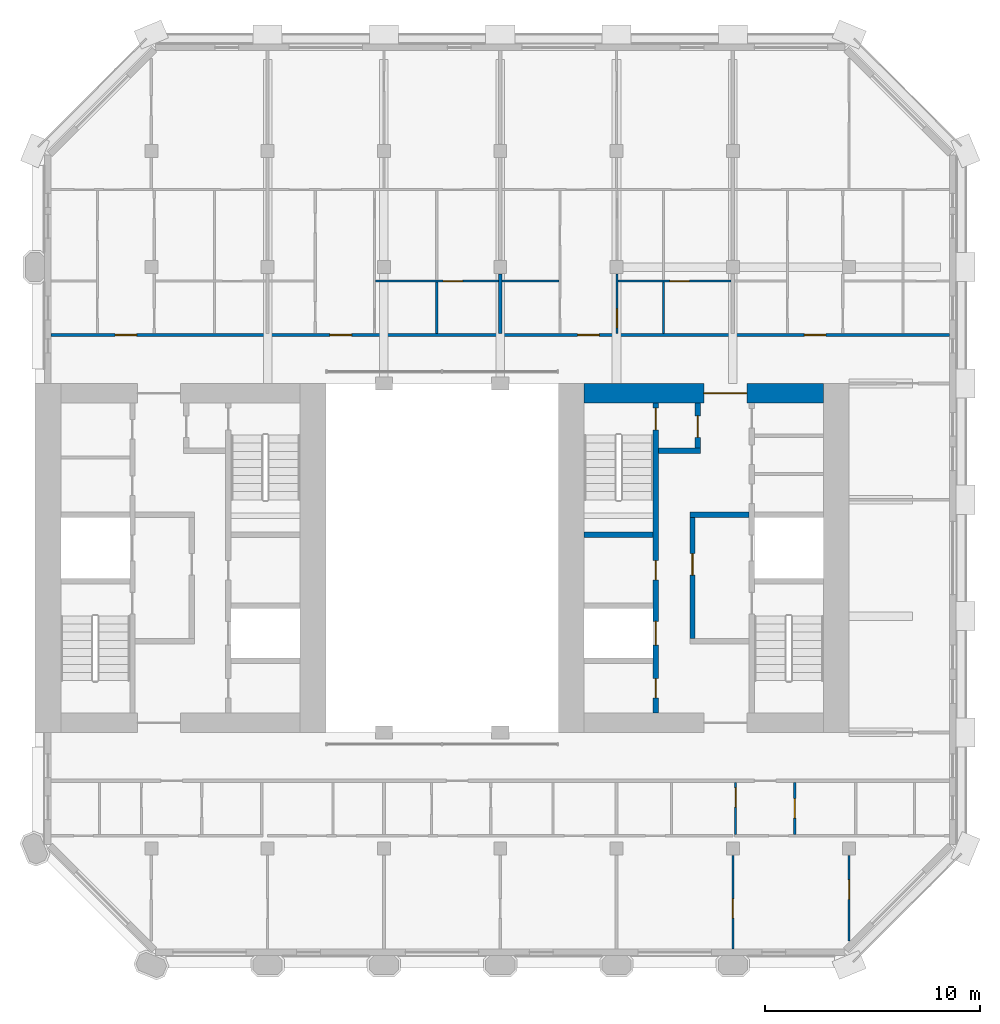
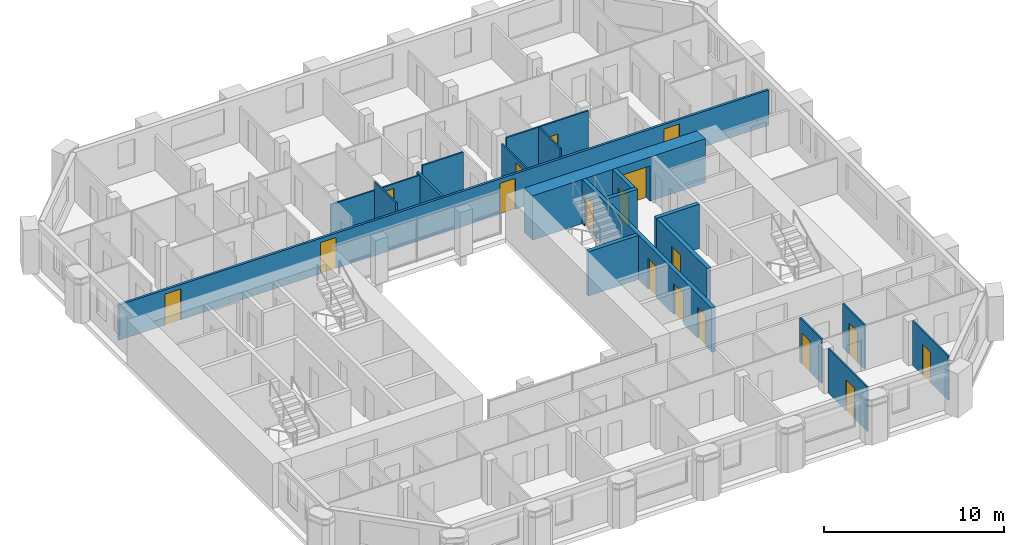
# One storey, part 6 of 13: 19 walls, 18 doors, 18 openings.
"""IFC4 building model written with IfcOpenShell, lengths in metres."""

from ifc_helpers import new_model, si_unit, direction, frame, frame_2d, origin, place, context, subcontext, project, spatial, rectangle, extrude, material, layer, layer_set, type_object, element, fill, save


model = new_model("IFC4")

# Units and contexts
model_context = context("Model", 3, precision=1e-05, world=origin(), true_north=direction((0.0, 1.0)))
body_context = subcontext(model_context, "Body", "Model", "MODEL_VIEW")
ifc_project = project(units=[si_unit("LENGTHUNIT", "METRE"), si_unit("AREAUNIT", "SQUARE_METRE"), si_unit("VOLUMEUNIT", "CUBIC_METRE"), si_unit("PLANEANGLEUNIT", "RADIAN"), si_unit("MASSUNIT", "GRAM", prefix="KILO")], contexts=[model_context])

# Site, building, storey
site_placement = place(None, origin())
site = spatial("IfcSite", under=ifc_project, at=site_placement, CompositionType="ELEMENT")
building_placement = place(site_placement, origin())
building = spatial("IfcBuilding", under=site, at=building_placement, Name="Tabaq Tower and Sports Hall", CompositionType="ELEMENT")
storey_placement = place(building_placement, frame((0.0, 0.0, 295.0)))
storey = spatial("IfcBuildingStorey", under=building, at=storey_placement, Name="L73", CompositionType="ELEMENT", Elevation=295.0)

# Wall, opening, door
ifc_material_1 = material(Name="Concrete C40/50", Category="concrete")
ifc_layer_1 = layer(ifc_material_1, 0.89990234375)
ifc_layer_set_1 = layer_set([ifc_layer_1], Name="Core wall 900 Concrete C40/50")
wall_type_1 = type_object("IfcWallType", Name="Core wall 900 Concrete C40/50", PredefinedType="SOLIDWALL", material=ifc_layer_set_1)
wall_1_placement = place(storey_placement, frame((30.89990234375, 31.949951171875, 0.0), z_axis=(0.0, 0.0, 1.0), x_axis=(1.0, 0.0, 0.0)))
wall_1 = element("IfcWall", 1, at=wall_1_placement, inside=storey, type_object=wall_type_1, Name="Core wall E L73", PredefinedType="SOLIDWALL", context=body_context, shape_type="SweptSolid", body=[
    extrude(rectangle(XDim=11.10009765625, YDim=0.89990234375, at=frame_2d((5.550048828125, 0.0))), origin(), (0.0, 0.0, 1.0), 3.0),
])
opening_1_placement = place(wall_1_placement, frame((5.550048828125, 0.0, 0.0)))
opening_1 = element("IfcOpeningElement", 2, at=opening_1_placement, cuts=wall_1, Name="Opening PD-EL73-02", PredefinedType="OPENING", context=body_context, shape_type="SweptSolid", body=[
    extrude(rectangle(XDim=2.0, YDim=2.39990234375, at=frame_2d((1.0, 1.199951171875))), frame((0.0, 0.449951171875, 0.0), z_axis=(0.0, -1.0, 0.0), x_axis=(1.0, 0.0, 0.0)), (0.0, 0.0, 1.0), 0.89990234375),
])
ifc_material_2 = material(Name="Steel fire door", Category="steel")
door_type_1 = type_object("IfcDoorType", Name="Core entrance door 2000", OperationType="DOUBLE_DOOR_SINGLE_SWING", PredefinedType="DOOR", material=ifc_material_2)
door_1_placement = place(opening_1_placement, origin())
door_1 = element("IfcDoor", 3, at=door_1_placement, inside=storey, type_object=door_type_1, Name="Core entrance north E L73", OperationType="DOUBLE_DOOR_SINGLE_SWING", OverallHeight=2.39990234375, OverallWidth=2.0, PredefinedType="DOOR", context=body_context, shape_type="SweptSolid", body=[
    extrude(rectangle(XDim=2.0, YDim=2.39990234375, at=frame_2d((1.0, 1.199951171875))), frame((0.0, 0.02490234375, 0.0), z_axis=(0.0, -1.0, 0.0), x_axis=(1.0, 0.0, 0.0)), (0.0, 0.0, 1.0), 0.050048828125),
])
fill(opening_1, door_1)

# Wall
ifc_material_3 = material(Name="Gypsum board on steel studs", Category="steel")
ifc_layer_2 = layer(ifc_material_3, 0.10009765625)
ifc_layer_set_2 = layer_set([ifc_layer_2], Name="Partition 100 Gypsum board")
wall_type_2 = type_object("IfcWallType", Name="Partition 100 Gypsum board", PredefinedType="PARTITIONING", material=ifc_layer_set_2)
wall_2_placement = place(storey_placement, frame((24.050048828125, 34.72509765625, 0.0), z_axis=(0.0, 0.0, 1.0), x_axis=(0.0, 1.0, 0.0)))
element("IfcWall", 4, at=wall_2_placement, inside=storey, type_object=wall_type_2, Name="Partition wall L73", PredefinedType="PARTITIONING", context=body_context, shape_type="SweptSolid", body=[
    extrude(rectangle(XDim=2.375, YDim=0.10009765625, at=frame_2d((1.1875, 0.0))), origin(), (0.0, 0.0, 1.0), 3.0),
])

# Wall, opening, door
wall_3_placement = place(storey_placement, frame((21.2119140625, 37.14990234375, 0.0), z_axis=(0.0, 0.0, 1.0), x_axis=(1.0, 0.0, 0.0)))
wall_3 = element("IfcWall", 5, at=wall_3_placement, inside=storey, type_object=wall_type_2, Name="Partition wall L73", PredefinedType="PARTITIONING", context=body_context, shape_type="SweptSolid", body=[
    extrude(rectangle(XDim=5.713134765625, YDim=0.10009765625, at=frame_2d((2.8564453125, 0.0))), origin(), (0.0, 0.0, 1.0), 2.39990234375),
])
opening_2_placement = place(wall_3_placement, frame((3.137939453125, 0.0, 0.0)))
opening_2 = element("IfcOpeningElement", 6, at=opening_2_placement, cuts=wall_3, Name="Opening L73-008", PredefinedType="OPENING", context=body_context, shape_type="SweptSolid", body=[
    extrude(rectangle(XDim=0.89990234375, YDim=2.10009765625, at=frame_2d((0.449951171875, 1.050048828125))), frame((0.0, 0.050048828125, 0.0), z_axis=(0.0, -1.0, 0.0), x_axis=(1.0, 0.0, 0.0)), (0.0, 0.0, 1.0), 0.10009765625),
])
ifc_material_4 = material(Name="Timber leaf in steel frame", Category="steel")
door_type_2 = type_object("IfcDoorType", Name="Internal door 900 left hand", OperationType="SINGLE_SWING_LEFT", PredefinedType="DOOR", material=ifc_material_4)
door_2_placement = place(opening_2_placement, origin())
door_2 = element("IfcDoor", 7, at=door_2_placement, inside=storey, type_object=door_type_2, Name="Internal door L73-008", OperationType="SINGLE_SWING_LEFT", OverallHeight=2.10009765625, OverallWidth=0.89990234375, PredefinedType="DOOR", context=body_context, shape_type="SweptSolid", body=[
    extrude(rectangle(XDim=0.89990234375, YDim=2.10009765625, at=frame_2d((0.449951171875, 1.050048828125))), frame((0.0, 0.02490234375, 0.0), z_axis=(0.0, -1.0, 0.0), x_axis=(1.0, 0.0, 0.0)), (0.0, 0.0, 1.0), 0.050048828125),
])
fill(opening_2, door_2)

# Wall
wall_4_placement = place(storey_placement, frame((27.074951171875, 37.14990234375, 0.0), z_axis=(0.0, 0.0, 1.0), x_axis=(1.0, 0.0, 0.0)))
element("IfcWall", 8, at=wall_4_placement, inside=storey, type_object=wall_type_2, Name="Partition wall L73", PredefinedType="PARTITIONING", context=body_context, shape_type="SweptSolid", body=[
    extrude(rectangle(XDim=2.64501953125, YDim=0.10009765625, at=frame_2d((1.322509765625, 0.0))), origin(), (0.0, 0.0, 1.0), 3.0),
])

# Wall, opening, door
wall_5_placement = place(storey_placement, frame((32.419921875, 34.72509765625, 0.0), z_axis=(0.0, 0.0, 1.0), x_axis=(0.0, 1.0, 0.0)))
wall_5 = element("IfcWall", 9, at=wall_5_placement, inside=storey, type_object=wall_type_2, Name="Partition wall L73", PredefinedType="PARTITIONING", context=body_context, shape_type="SweptSolid", body=[
    extrude(rectangle(XDim=2.7548828125, YDim=0.10009765625, at=frame_2d((1.37744140625, 0.0))), origin(), (0.0, 0.0, 1.0), 2.39990234375),
])
opening_3_placement = place(wall_5_placement, frame((0.25, 0.0, 0.0)))
opening_3 = element("IfcOpeningElement", 10, at=opening_3_placement, cuts=wall_5, Name="Opening L73-011", PredefinedType="OPENING", context=body_context, shape_type="SweptSolid", body=[
    extrude(rectangle(XDim=0.89990234375, YDim=2.10009765625, at=frame_2d((0.449951171875, 1.050048828125))), frame((0.0, 0.050048828125, 0.0), z_axis=(0.0, -1.0, 0.0), x_axis=(1.0, 0.0, 0.0)), (0.0, 0.0, 1.0), 0.10009765625),
])
ifc_material_5 = material(Name="Timber leaf in steel frame", Category="steel")
door_type_3 = type_object("IfcDoorType", Name="Internal door 900 right hand", OperationType="SINGLE_SWING_RIGHT", PredefinedType="DOOR", material=ifc_material_5)
door_3_placement = place(opening_3_placement, origin())
door_3 = element("IfcDoor", 11, at=door_3_placement, inside=storey, type_object=door_type_3, Name="Internal door L73-011", OperationType="SINGLE_SWING_RIGHT", OverallHeight=2.10009765625, OverallWidth=0.89990234375, PredefinedType="DOOR", context=body_context, shape_type="SweptSolid", body=[
    extrude(rectangle(XDim=0.89990234375, YDim=2.10009765625, at=frame_2d((0.449951171875, 1.050048828125))), frame((0.0, 0.02490234375, 0.0), z_axis=(0.0, -1.0, 0.0), x_axis=(1.0, 0.0, 0.0)), (0.0, 0.0, 1.0), 0.050048828125),
])
fill(opening_3, door_3)

# Wall
wall_6_placement = place(storey_placement, frame((34.575927734375, 34.72509765625, 0.0), z_axis=(0.0, 0.0, 1.0), x_axis=(0.0, 1.0, 0.0)))
element("IfcWall", 12, at=wall_6_placement, inside=storey, type_object=wall_type_2, Name="Partition wall L73", PredefinedType="PARTITIONING", context=body_context, shape_type="SweptSolid", body=[
    extrude(rectangle(XDim=2.375, YDim=0.10009765625, at=frame_2d((1.1875, 0.0))), origin(), (0.0, 0.0, 1.0), 3.0),
])

# Wall, opening, door
wall_7_placement = place(storey_placement, frame((32.469970703125, 37.14990234375, 0.0), z_axis=(0.0, 0.0, 1.0), x_axis=(1.0, 0.0, 0.0)))
wall_7 = element("IfcWall", 13, at=wall_7_placement, inside=storey, type_object=wall_type_2, Name="Partition wall L73", PredefinedType="PARTITIONING", context=body_context, shape_type="SweptSolid", body=[
    extrude(rectangle(XDim=5.255126953125, YDim=0.10009765625, at=frame_2d((2.62744140625, 0.0))), origin(), (0.0, 0.0, 1.0), 3.0),
])
opening_4_placement = place(wall_7_placement, frame((2.406005859375, 0.0, 0.0)))
opening_4 = element("IfcOpeningElement", 14, at=opening_4_placement, cuts=wall_7, Name="Opening L73-012", PredefinedType="OPENING", context=body_context, shape_type="SweptSolid", body=[
    extrude(rectangle(XDim=0.89990234375, YDim=2.10009765625, at=frame_2d((0.449951171875, 1.050048828125))), frame((0.0, 0.050048828125, 0.0), z_axis=(0.0, -1.0, 0.0), x_axis=(1.0, 0.0, 0.0)), (0.0, 0.0, 1.0), 0.10009765625),
])
door_4_placement = place(opening_4_placement, origin())
door_4 = element("IfcDoor", 15, at=door_4_placement, inside=storey, type_object=door_type_3, Name="Internal door L73-012", OperationType="SINGLE_SWING_RIGHT", OverallHeight=2.10009765625, OverallWidth=0.89990234375, PredefinedType="DOOR", context=body_context, shape_type="SweptSolid", body=[
    extrude(rectangle(XDim=0.89990234375, YDim=2.10009765625, at=frame_2d((0.449951171875, 1.050048828125))), frame((0.0, 0.02490234375, 0.0), z_axis=(0.0, -1.0, 0.0), x_axis=(1.0, 0.0, 0.0)), (0.0, 0.0, 1.0), 0.050048828125),
])
fill(opening_4, door_4)

wall_8_placement = place(storey_placement, frame((37.800048828125, 6.15087890625, 0.0), z_axis=(0.0, 0.0, 1.0), x_axis=(0.0, 1.0, 0.0)))
wall_8 = element("IfcWall", 16, at=wall_8_placement, inside=storey, type_object=wall_type_2, Name="Partition wall L73", PredefinedType="PARTITIONING", context=body_context, shape_type="SweptSolid", body=[
    extrude(rectangle(XDim=4.3291015625, YDim=0.10009765625, at=frame_2d((2.16455078125, 0.0))), origin(), (0.0, 0.0, 1.0), 3.0),
])
opening_5_placement = place(wall_8_placement, frame((1.424072265625, 0.0, 0.0)))
opening_5 = element("IfcOpeningElement", 17, at=opening_5_placement, cuts=wall_8, Name="Opening L73-051", PredefinedType="OPENING", context=body_context, shape_type="SweptSolid", body=[
    extrude(rectangle(XDim=0.89990234375, YDim=2.10009765625, at=frame_2d((0.449951171875, 1.050048828125))), frame((0.0, 0.050048828125, 0.0), z_axis=(0.0, -1.0, 0.0), x_axis=(1.0, 0.0, 0.0)), (0.0, 0.0, 1.0), 0.10009765625),
])
door_5_placement = place(opening_5_placement, origin())
door_5 = element("IfcDoor", 18, at=door_5_placement, inside=storey, type_object=door_type_2, Name="Internal door L73-051", OperationType="SINGLE_SWING_LEFT", OverallHeight=2.10009765625, OverallWidth=0.89990234375, PredefinedType="DOOR", context=body_context, shape_type="SweptSolid", body=[
    extrude(rectangle(XDim=0.89990234375, YDim=2.10009765625, at=frame_2d((0.449951171875, 1.050048828125))), frame((0.0, 0.02490234375, 0.0), z_axis=(0.0, -1.0, 0.0), x_axis=(1.0, 0.0, 0.0)), (0.0, 0.0, 1.0), 0.050048828125),
])
fill(opening_5, door_5)

wall_9_placement = place(storey_placement, frame((43.199951171875, 6.51220703125, 0.0), z_axis=(0.0, 0.0, 1.0), x_axis=(0.0, 1.0, 0.0)))
wall_9 = element("IfcWall", 19, at=wall_9_placement, inside=storey, type_object=wall_type_2, Name="Partition wall L73", PredefinedType="PARTITIONING", context=body_context, shape_type="SweptSolid", body=[
    extrude(rectangle(XDim=3.9677734375, YDim=0.10009765625, at=frame_2d((1.98388671875, 0.0))), origin(), (0.0, 0.0, 1.0), 3.0),
])
opening_6_placement = place(wall_9_placement, frame((1.93798828125, 0.0, 0.0)))
opening_6 = element("IfcOpeningElement", 20, at=opening_6_placement, cuts=wall_9, Name="Opening L73-059", PredefinedType="OPENING", context=body_context, shape_type="SweptSolid", body=[
    extrude(rectangle(XDim=0.89990234375, YDim=2.10009765625, at=frame_2d((0.449951171875, 1.050048828125))), frame((0.0, 0.050048828125, 0.0), z_axis=(0.0, -1.0, 0.0), x_axis=(1.0, 0.0, 0.0)), (0.0, 0.0, 1.0), 0.10009765625),
])
door_6_placement = place(opening_6_placement, origin())
door_6 = element("IfcDoor", 21, at=door_6_placement, inside=storey, type_object=door_type_3, Name="Internal door L73-059", OperationType="SINGLE_SWING_RIGHT", OverallHeight=2.10009765625, OverallWidth=0.89990234375, PredefinedType="DOOR", context=body_context, shape_type="SweptSolid", body=[
    extrude(rectangle(XDim=0.89990234375, YDim=2.10009765625, at=frame_2d((0.449951171875, 1.050048828125))), frame((0.0, 0.02490234375, 0.0), z_axis=(0.0, -1.0, 0.0), x_axis=(1.0, 0.0, 0.0)), (0.0, 0.0, 1.0), 0.050048828125),
])
fill(opening_6, door_6)

wall_10_placement = place(storey_placement, frame((37.925048828125, 11.449951171875, 0.0), z_axis=(0.0, 0.0, 1.0), x_axis=(0.0, 1.0, 0.0)))
wall_10 = element("IfcWall", 22, at=wall_10_placement, inside=storey, type_object=wall_type_2, Name="Partition wall L73", PredefinedType="PARTITIONING", context=body_context, shape_type="SweptSolid", body=[
    extrude(rectangle(XDim=2.425048828125, YDim=0.10009765625, at=frame_2d((1.21240234375, 0.0))), origin(), (0.0, 0.0, 1.0), 3.0),
])
opening_7_placement = place(wall_10_placement, frame((1.27490234375, 0.0, 0.0)))
opening_7 = element("IfcOpeningElement", 23, at=opening_7_placement, cuts=wall_10, Name="Opening L73-028", PredefinedType="OPENING", context=body_context, shape_type="SweptSolid", body=[
    extrude(rectangle(XDim=0.89990234375, YDim=2.10009765625, at=frame_2d((0.449951171875, 1.050048828125))), frame((0.0, 0.050048828125, 0.0), z_axis=(0.0, -1.0, 0.0), x_axis=(1.0, 0.0, 0.0)), (0.0, 0.0, 1.0), 0.10009765625),
])
door_7_placement = place(opening_7_placement, origin())
door_7 = element("IfcDoor", 24, at=door_7_placement, inside=storey, type_object=door_type_3, Name="Internal door L73-028", OperationType="SINGLE_SWING_RIGHT", OverallHeight=2.10009765625, OverallWidth=0.89990234375, PredefinedType="DOOR", context=body_context, shape_type="SweptSolid", body=[
    extrude(rectangle(XDim=0.89990234375, YDim=2.10009765625, at=frame_2d((0.449951171875, 1.050048828125))), frame((0.0, 0.02490234375, 0.0), z_axis=(0.0, -1.0, 0.0), x_axis=(1.0, 0.0, 0.0)), (0.0, 0.0, 1.0), 0.050048828125),
])
fill(opening_7, door_7)

wall_11_placement = place(storey_placement, frame((40.675048828125, 11.449951171875, 0.0), z_axis=(0.0, 0.0, 1.0), x_axis=(0.0, 1.0, 0.0)))
wall_11 = element("IfcWall", 25, at=wall_11_placement, inside=storey, type_object=wall_type_2, Name="Partition wall L73", PredefinedType="PARTITIONING", context=body_context, shape_type="SweptSolid", body=[
    extrude(rectangle(XDim=2.425048828125, YDim=0.10009765625, at=frame_2d((1.21240234375, 0.0))), origin(), (0.0, 0.0, 1.0), 3.0),
])
opening_8_placement = place(wall_11_placement, frame((0.77490234375, 0.0, 0.0)))
opening_8 = element("IfcOpeningElement", 26, at=opening_8_placement, cuts=wall_11, Name="Opening L73-029", PredefinedType="OPENING", context=body_context, shape_type="SweptSolid", body=[
    extrude(rectangle(XDim=0.89990234375, YDim=2.10009765625, at=frame_2d((0.449951171875, 1.050048828125))), frame((0.0, 0.050048828125, 0.0), z_axis=(0.0, -1.0, 0.0), x_axis=(1.0, 0.0, 0.0)), (0.0, 0.0, 1.0), 0.10009765625),
])
door_8_placement = place(opening_8_placement, origin())
door_8 = element("IfcDoor", 27, at=door_8_placement, inside=storey, type_object=door_type_2, Name="Internal door L73-029", OperationType="SINGLE_SWING_LEFT", OverallHeight=2.10009765625, OverallWidth=0.89990234375, PredefinedType="DOOR", context=body_context, shape_type="SweptSolid", body=[
    extrude(rectangle(XDim=0.89990234375, YDim=2.10009765625, at=frame_2d((0.449951171875, 1.050048828125))), frame((0.0, 0.02490234375, 0.0), z_axis=(0.0, -1.0, 0.0), x_axis=(1.0, 0.0, 0.0)), (0.0, 0.0, 1.0), 0.050048828125),
])
fill(opening_8, door_8)

# Wall
ifc_material_6 = material(Name="Blockwork", Category="masonry")
ifc_layer_3 = layer(ifc_material_6, 0.14990234375)
ifc_layer_set_3 = layer_set([ifc_layer_3], Name="Separating wall 150 Blockwork")
wall_type_3 = type_object("IfcWallType", Name="Separating wall 150 Blockwork", PredefinedType="PARTITIONING", material=ifc_layer_set_3)
wall_12_placement = place(storey_placement, frame((27.0, 34.72509765625, 0.0), z_axis=(0.0, 0.0, 1.0), x_axis=(0.0, 1.0, 0.0)))
element("IfcWall", 28, at=wall_12_placement, inside=storey, type_object=wall_type_3, Name="Separating wall L73", PredefinedType="PARTITIONING", context=body_context, shape_type="SweptSolid", body=[
    extrude(rectangle(XDim=2.7548828125, YDim=0.14990234375, at=frame_2d((1.37744140625, 0.0))), origin(), (0.0, 0.0, 1.0), 2.39990234375),
])

# Wall, openings, doors
wall_13_placement = place(storey_placement, frame((6.15087890625, 34.64990234375, 0.0), z_axis=(0.0, 0.0, 1.0), x_axis=(1.0, 0.0, 0.0)))
wall_13 = element("IfcWall", 29, at=wall_13_placement, inside=storey, type_object=wall_type_3, Name="Separating wall L73", PredefinedType="PARTITIONING", context=body_context, shape_type="SweptSolid", body=[
    extrude(rectangle(XDim=41.6982421875, YDim=0.14990234375, at=frame_2d((20.84912109375, 0.0))), origin(), (0.0, 0.0, 1.0), 2.39990234375),
])
opening_9_placement = place(wall_13_placement, frame((2.968994140625, 0.0, 0.0)))
opening_9 = element("IfcOpeningElement", 30, at=opening_9_placement, cuts=wall_13, Name="Opening L73-064", PredefinedType="OPENING", context=body_context, shape_type="SweptSolid", body=[
    extrude(rectangle(XDim=1.0, YDim=2.10009765625, at=frame_2d((0.5, 1.050048828125))), frame((0.0, 0.074951171875, 0.0), z_axis=(0.0, -1.0, 0.0), x_axis=(1.0, 0.0, 0.0)), (0.0, 0.0, 1.0), 0.14990234375),
])
opening_10_placement = place(wall_13_placement, frame((12.944091796875, 0.0, 0.0)))
opening_10 = element("IfcOpeningElement", 31, at=opening_10_placement, cuts=wall_13, Name="Opening L73-065", PredefinedType="OPENING", context=body_context, shape_type="SweptSolid", body=[
    extrude(rectangle(XDim=1.0, YDim=2.10009765625, at=frame_2d((0.5, 1.050048828125))), frame((0.0, 0.074951171875, 0.0), z_axis=(0.0, -1.0, 0.0), x_axis=(1.0, 0.0, 0.0)), (0.0, 0.0, 1.0), 0.14990234375),
])
opening_11_placement = place(wall_13_placement, frame((24.444091796875, 0.0, 0.0)))
opening_11 = element("IfcOpeningElement", 32, at=opening_11_placement, cuts=wall_13, Name="Opening L73-066", PredefinedType="OPENING", context=body_context, shape_type="SweptSolid", body=[
    extrude(rectangle(XDim=1.0, YDim=2.10009765625, at=frame_2d((0.5, 1.050048828125))), frame((0.0, 0.074951171875, 0.0), z_axis=(0.0, -1.0, 0.0), x_axis=(1.0, 0.0, 0.0)), (0.0, 0.0, 1.0), 0.14990234375),
])
opening_12_placement = place(wall_13_placement, frame((34.964111328125, 0.0, 0.0)))
opening_12 = element("IfcOpeningElement", 33, at=opening_12_placement, cuts=wall_13, Name="Opening L73-067", PredefinedType="OPENING", context=body_context, shape_type="SweptSolid", body=[
    extrude(rectangle(XDim=1.0, YDim=2.10009765625, at=frame_2d((0.5, 1.050048828125))), frame((0.0, 0.074951171875, 0.0), z_axis=(0.0, -1.0, 0.0), x_axis=(1.0, 0.0, 0.0)), (0.0, 0.0, 1.0), 0.14990234375),
])
ifc_material_7 = material(Name="Steel fire door", Category="steel")
door_type_4 = type_object("IfcDoorType", Name="Entrance door 1000 left hand", OperationType="SINGLE_SWING_LEFT", PredefinedType="DOOR", material=ifc_material_7)
door_9_placement = place(opening_11_placement, origin())
door_9 = element("IfcDoor", 34, at=door_9_placement, inside=storey, type_object=door_type_4, Name="Entrance door L73-066", OperationType="SINGLE_SWING_LEFT", OverallHeight=2.10009765625, OverallWidth=1.0, PredefinedType="DOOR", context=body_context, shape_type="SweptSolid", body=[
    extrude(rectangle(XDim=1.0, YDim=2.10009765625, at=frame_2d((0.5, 1.050048828125))), frame((0.0, 0.02490234375, 0.0), z_axis=(0.0, -1.0, 0.0), x_axis=(1.0, 0.0, 0.0)), (0.0, 0.0, 1.0), 0.050048828125),
])
fill(opening_11, door_9)
door_10_placement = place(opening_12_placement, origin())
door_10 = element("IfcDoor", 35, at=door_10_placement, inside=storey, type_object=door_type_4, Name="Entrance door L73-067", OperationType="SINGLE_SWING_LEFT", OverallHeight=2.10009765625, OverallWidth=1.0, PredefinedType="DOOR", context=body_context, shape_type="SweptSolid", body=[
    extrude(rectangle(XDim=1.0, YDim=2.10009765625, at=frame_2d((0.5, 1.050048828125))), frame((0.0, 0.02490234375, 0.0), z_axis=(0.0, -1.0, 0.0), x_axis=(1.0, 0.0, 0.0)), (0.0, 0.0, 1.0), 0.050048828125),
])
fill(opening_12, door_10)
ifc_material_8 = material(Name="Steel fire door", Category="steel")
door_type_5 = type_object("IfcDoorType", Name="Entrance door 1000 right hand", OperationType="SINGLE_SWING_RIGHT", PredefinedType="DOOR", material=ifc_material_8)
door_11_placement = place(opening_9_placement, origin())
door_11 = element("IfcDoor", 36, at=door_11_placement, inside=storey, type_object=door_type_5, Name="Entrance door L73-064", OperationType="SINGLE_SWING_RIGHT", OverallHeight=2.10009765625, OverallWidth=1.0, PredefinedType="DOOR", context=body_context, shape_type="SweptSolid", body=[
    extrude(rectangle(XDim=1.0, YDim=2.10009765625, at=frame_2d((0.5, 1.050048828125))), frame((0.0, 0.02490234375, 0.0), z_axis=(0.0, -1.0, 0.0), x_axis=(1.0, 0.0, 0.0)), (0.0, 0.0, 1.0), 0.050048828125),
])
fill(opening_9, door_11)
door_12_placement = place(opening_10_placement, origin())
door_12 = element("IfcDoor", 37, at=door_12_placement, inside=storey, type_object=door_type_5, Name="Entrance door L73-065", OperationType="SINGLE_SWING_RIGHT", OverallHeight=2.10009765625, OverallWidth=1.0, PredefinedType="DOOR", context=body_context, shape_type="SweptSolid", body=[
    extrude(rectangle(XDim=1.0, YDim=2.10009765625, at=frame_2d((0.5, 1.050048828125))), frame((0.0, 0.02490234375, 0.0), z_axis=(0.0, -1.0, 0.0), x_axis=(1.0, 0.0, 0.0)), (0.0, 0.0, 1.0), 0.050048828125),
])
fill(opening_10, door_12)

ifc_material_9 = material(Name="Concrete C40/50", Category="concrete")
ifc_layer_4 = layer(ifc_material_9, 0.25)
ifc_layer_set_4 = layer_set([ifc_layer_4], Name="Shaft and stair wall 250 Concrete C40/50")
wall_type_4 = type_object("IfcWallType", Name="Shaft and stair wall 250 Concrete C40/50", PredefinedType="SOLIDWALL", material=ifc_layer_set_4)
wall_14_placement = place(storey_placement, frame((34.22509765625, 17.10009765625, 0.0), z_axis=(0.0, 0.0, 1.0), x_axis=(0.0, 1.0, 0.0)))
wall_14 = element("IfcWall", 38, at=wall_14_placement, inside=storey, type_object=wall_type_4, Name="Shaft wall E L73", PredefinedType="SOLIDWALL", context=body_context, shape_type="SweptSolid", body=[
    extrude(rectangle(XDim=14.39990234375, YDim=0.25, at=frame_2d((7.199951171875, 0.0))), origin(), (0.0, 0.0, 1.0), 3.0),
])
opening_13_placement = place(wall_14_placement, frame((13.14990234375, 0.0, 0.0)))
opening_13 = element("IfcOpeningElement", 39, at=opening_13_placement, cuts=wall_14, Name="Opening SD-EL73-05", PredefinedType="OPENING", context=body_context, shape_type="SweptSolid", body=[
    extrude(rectangle(XDim=1.0, YDim=2.10009765625, at=frame_2d((0.5, 1.050048828125))), frame((0.0, 0.125, 0.0), z_axis=(0.0, -1.0, 0.0), x_axis=(1.0, 0.0, 0.0)), (0.0, 0.0, 1.0), 0.25),
])
opening_14_placement = place(wall_14_placement, frame((3.14990234375, 0.0, 0.0)))
opening_14 = element("IfcOpeningElement", 40, at=opening_14_placement, cuts=wall_14, Name="Opening LD-HR2-L73", PredefinedType="OPENING", context=body_context, shape_type="SweptSolid", body=[
    extrude(rectangle(XDim=1.10009765625, YDim=2.10009765625, at=frame_2d((0.550048828125, 1.050048828125))), frame((0.0, 0.125, 0.0), z_axis=(0.0, -1.0, 0.0), x_axis=(1.0, 0.0, 0.0)), (0.0, 0.0, 1.0), 0.25),
])
opening_15_placement = place(wall_14_placement, frame((0.699951171875, 0.0, 0.0)))
opening_15 = element("IfcOpeningElement", 41, at=opening_15_placement, cuts=wall_14, Name="Opening RD-EL73-12", PredefinedType="OPENING", context=body_context, shape_type="SweptSolid", body=[
    extrude(rectangle(XDim=0.89990234375, YDim=2.10009765625, at=frame_2d((0.449951171875, 1.050048828125))), frame((0.0, 0.125, 0.0), z_axis=(0.0, -1.0, 0.0), x_axis=(1.0, 0.0, 0.0)), (0.0, 0.0, 1.0), 0.25),
])
opening_16_placement = place(wall_14_placement, frame((6.175048828125, 0.0, 0.0)))
opening_16 = element("IfcOpeningElement", 42, at=opening_16_placement, cuts=wall_14, Name="Opening RD-EL73-13", PredefinedType="OPENING", context=body_context, shape_type="SweptSolid", body=[
    extrude(rectangle(XDim=0.89990234375, YDim=2.10009765625, at=frame_2d((0.449951171875, 1.050048828125))), frame((0.0, 0.125, 0.0), z_axis=(0.0, -1.0, 0.0), x_axis=(1.0, 0.0, 0.0)), (0.0, 0.0, 1.0), 0.25),
])
ifc_material_10 = material(Name="Steel fire door", Category="steel")
door_type_6 = type_object("IfcDoorType", Name="Core room door 900", OperationType="SINGLE_SWING_LEFT", PredefinedType="DOOR", material=ifc_material_10)
door_13_placement = place(opening_15_placement, origin())
door_13 = element("IfcDoor", 43, at=door_13_placement, inside=storey, type_object=door_type_6, Name="Door Electrical Riser Room E L73", OperationType="SINGLE_SWING_LEFT", OverallHeight=2.10009765625, OverallWidth=0.89990234375, PredefinedType="DOOR", context=body_context, shape_type="SweptSolid", body=[
    extrude(rectangle(XDim=0.89990234375, YDim=2.10009765625, at=frame_2d((0.449951171875, 1.050048828125))), frame((0.0, 0.02490234375, 0.0), z_axis=(0.0, -1.0, 0.0), x_axis=(1.0, 0.0, 0.0)), (0.0, 0.0, 1.0), 0.050048828125),
])
fill(opening_15, door_13)
door_14_placement = place(opening_16_placement, origin())
door_14 = element("IfcDoor", 44, at=door_14_placement, inside=storey, type_object=door_type_6, Name="Door Riser Room E L73", OperationType="SINGLE_SWING_LEFT", OverallHeight=2.10009765625, OverallWidth=0.89990234375, PredefinedType="DOOR", context=body_context, shape_type="SweptSolid", body=[
    extrude(rectangle(XDim=0.89990234375, YDim=2.10009765625, at=frame_2d((0.449951171875, 1.050048828125))), frame((0.0, 0.02490234375, 0.0), z_axis=(0.0, -1.0, 0.0), x_axis=(1.0, 0.0, 0.0)), (0.0, 0.0, 1.0), 0.050048828125),
])
fill(opening_16, door_14)
ifc_material_11 = material(Name="Stainless steel", Category="steel")
door_type_7 = type_object("IfcDoorType", Name="Lift landing door 1100", OperationType="DOUBLE_DOOR_SLIDING", PredefinedType="DOOR", material=ifc_material_11)
door_15_placement = place(opening_14_placement, origin())
door_15 = element("IfcDoor", 45, at=door_15_placement, inside=storey, type_object=door_type_7, Name="Lift landing door HR2 E L73", OperationType="DOUBLE_DOOR_SLIDING", OverallHeight=2.10009765625, OverallWidth=1.10009765625, PredefinedType="DOOR", context=body_context, shape_type="SweptSolid", body=[
    extrude(rectangle(XDim=1.10009765625, YDim=2.10009765625, at=frame_2d((0.550048828125, 1.050048828125))), frame((0.0, 0.02490234375, 0.0), z_axis=(0.0, -1.0, 0.0), x_axis=(1.0, 0.0, 0.0)), (0.0, 0.0, 1.0), 0.050048828125),
])
fill(opening_14, door_15)
ifc_material_12 = material(Name="Steel fire door", Category="steel")
door_type_8 = type_object("IfcDoorType", Name="Stair door 1000", OperationType="SINGLE_SWING_LEFT", PredefinedType="DOOR", material=ifc_material_12)
door_16_placement = place(opening_13_placement, origin())
door_16 = element("IfcDoor", 46, at=door_16_placement, inside=storey, type_object=door_type_8, Name="Stair door ST4 E L73", OperationType="SINGLE_SWING_LEFT", OverallHeight=2.10009765625, OverallWidth=1.0, PredefinedType="DOOR", context=body_context, shape_type="SweptSolid", body=[
    extrude(rectangle(XDim=1.0, YDim=2.10009765625, at=frame_2d((0.5, 1.050048828125))), frame((0.0, 0.02490234375, 0.0), z_axis=(0.0, -1.0, 0.0), x_axis=(1.0, 0.0, 0.0)), (0.0, 0.0, 1.0), 0.050048828125),
])
fill(opening_13, door_16)

# Walls
wall_15_placement = place(storey_placement, frame((30.89990234375, 25.375, 0.0), z_axis=(0.0, 0.0, 1.0), x_axis=(1.0, 0.0, 0.0)))
element("IfcWall", 47, at=wall_15_placement, inside=storey, type_object=wall_type_4, Name="Stair enclosure wall E L73", PredefinedType="SOLIDWALL", context=body_context, shape_type="SweptSolid", body=[
    extrude(rectangle(XDim=3.2001953125, YDim=0.25, at=frame_2d((1.60009765625, 0.0))), origin(), (0.0, 0.0, 1.0), 3.0),
])
wall_16_placement = place(storey_placement, frame((35.800048828125, 26.300048828125, 0.0), z_axis=(0.0, 0.0, 1.0), x_axis=(1.0, 0.0, 0.0)))
element("IfcWall", 48, at=wall_16_placement, inside=storey, type_object=wall_type_4, Name="Fire-fighting lobby wall E L73", PredefinedType="SOLIDWALL", context=body_context, shape_type="SweptSolid", body=[
    extrude(rectangle(XDim=2.75, YDim=0.25, at=frame_2d((1.375, 0.0))), origin(), (0.0, 0.0, 1.0), 3.0),
])

# Wall, opening, door
wall_17_placement = place(storey_placement, frame((36.175048828125, 29.39990234375, 0.0), z_axis=(0.0, 0.0, 1.0), x_axis=(0.0, 1.0, 0.0)))
wall_17 = element("IfcWall", 49, at=wall_17_placement, inside=storey, type_object=wall_type_4, Name="Fire-fighting lobby wall E L73", PredefinedType="SOLIDWALL", context=body_context, shape_type="SweptSolid", body=[
    extrude(rectangle(XDim=2.10009765625, YDim=0.25, at=frame_2d((1.050048828125, 0.0))), origin(), (0.0, 0.0, 1.0), 3.0),
])
opening_17_placement = place(wall_17_placement, frame((0.5, 0.0, 0.0)))
opening_17 = element("IfcOpeningElement", 50, at=opening_17_placement, cuts=wall_17, Name="Opening FD-EL73-06", PredefinedType="OPENING", context=body_context, shape_type="SweptSolid", body=[
    extrude(rectangle(XDim=1.0, YDim=2.10009765625, at=frame_2d((0.5, 1.050048828125))), frame((0.0, 0.125, 0.0), z_axis=(0.0, -1.0, 0.0), x_axis=(1.0, 0.0, 0.0)), (0.0, 0.0, 1.0), 0.25),
])
ifc_material_13 = material(Name="Steel fire door", Category="steel")
door_type_9 = type_object("IfcDoorType", Name="Fire-fighting lobby door 1000", OperationType="SINGLE_SWING_LEFT", PredefinedType="DOOR", material=ifc_material_13)
door_17_placement = place(opening_17_placement, origin())
door_17 = element("IfcDoor", 51, at=door_17_placement, inside=storey, type_object=door_type_9, Name="Stair lobby door E L73", OperationType="SINGLE_SWING_LEFT", OverallHeight=2.10009765625, OverallWidth=1.0, PredefinedType="DOOR", context=body_context, shape_type="SweptSolid", body=[
    extrude(rectangle(XDim=1.0, YDim=2.10009765625, at=frame_2d((0.5, 1.050048828125))), frame((0.0, 0.02490234375, 0.0), z_axis=(0.0, -1.0, 0.0), x_axis=(1.0, 0.0, 0.0)), (0.0, 0.0, 1.0), 0.050048828125),
])
fill(opening_17, door_17)

# Wall
wall_18_placement = place(storey_placement, frame((34.35009765625, 29.27490234375, 0.0), z_axis=(0.0, 0.0, 1.0), x_axis=(1.0, 0.0, 0.0)))
element("IfcWall", 52, at=wall_18_placement, inside=storey, type_object=wall_type_4, Name="Fire-fighting lobby wall E L73", PredefinedType="SOLIDWALL", context=body_context, shape_type="SweptSolid", body=[
    extrude(rectangle(XDim=1.949951171875, YDim=0.25, at=frame_2d((0.97509765625, 0.0))), origin(), (0.0, 0.0, 1.0), 3.0),
])

# Wall, opening, door
wall_19_placement = place(storey_placement, frame((35.925048828125, 20.550048828125, 0.0), z_axis=(0.0, 0.0, 1.0), x_axis=(0.0, 1.0, 0.0)))
wall_19 = element("IfcWall", 53, at=wall_19_placement, inside=storey, type_object=wall_type_4, Name="Fire-fighting lobby wall E L73", PredefinedType="SOLIDWALL", context=body_context, shape_type="SweptSolid", body=[
    extrude(rectangle(XDim=5.625, YDim=0.25, at=frame_2d((2.8125, 0.0))), origin(), (0.0, 0.0, 1.0), 3.0),
])
opening_18_placement = place(wall_19_placement, frame((2.949951171875, 0.0, 0.0)))
opening_18 = element("IfcOpeningElement", 54, at=opening_18_placement, cuts=wall_19, Name="Opening FD-EL73-04", PredefinedType="OPENING", context=body_context, shape_type="SweptSolid", body=[
    extrude(rectangle(XDim=1.0, YDim=2.10009765625, at=frame_2d((0.5, 1.050048828125))), frame((0.0, 0.125, 0.0), z_axis=(0.0, -1.0, 0.0), x_axis=(1.0, 0.0, 0.0)), (0.0, 0.0, 1.0), 0.25),
])
door_18_placement = place(opening_18_placement, origin())
door_18 = element("IfcDoor", 55, at=door_18_placement, inside=storey, type_object=door_type_9, Name="Fire-fighting lobby door E L73", OperationType="SINGLE_SWING_LEFT", OverallHeight=2.10009765625, OverallWidth=1.0, PredefinedType="DOOR", context=body_context, shape_type="SweptSolid", body=[
    extrude(rectangle(XDim=1.0, YDim=2.10009765625, at=frame_2d((0.5, 1.050048828125))), frame((0.0, 0.02490234375, 0.0), z_axis=(0.0, -1.0, 0.0), x_axis=(1.0, 0.0, 0.0)), (0.0, 0.0, 1.0), 0.050048828125),
])
fill(opening_18, door_18)

save(model, "model.ifc")
